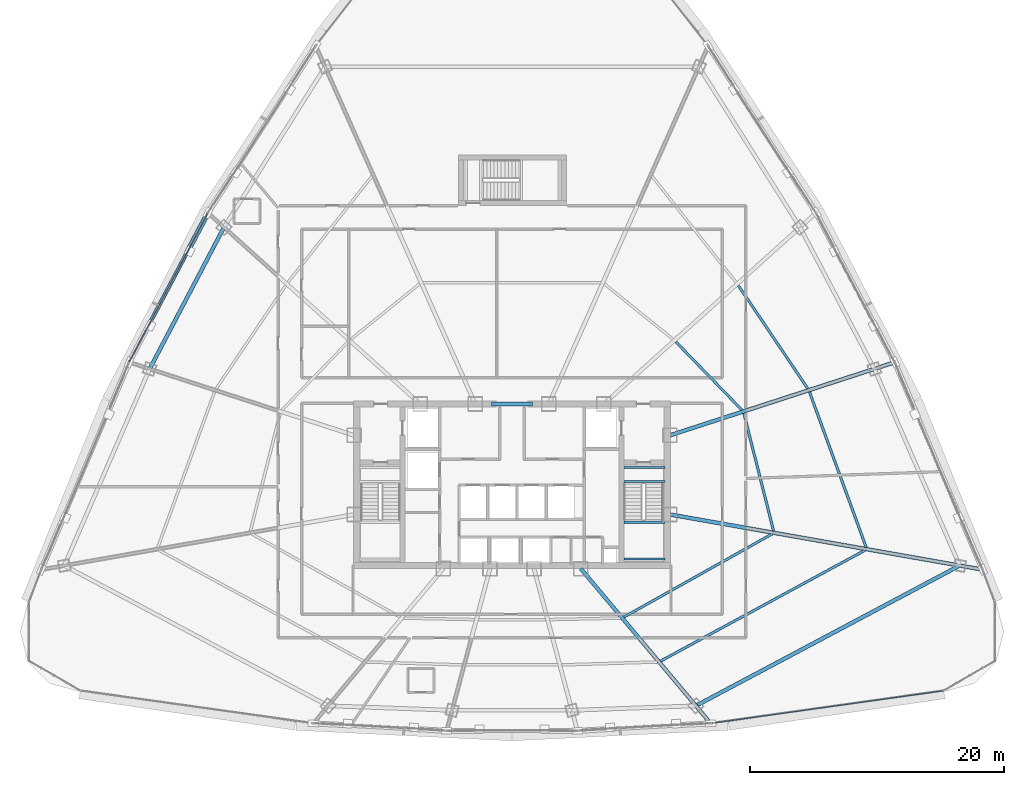
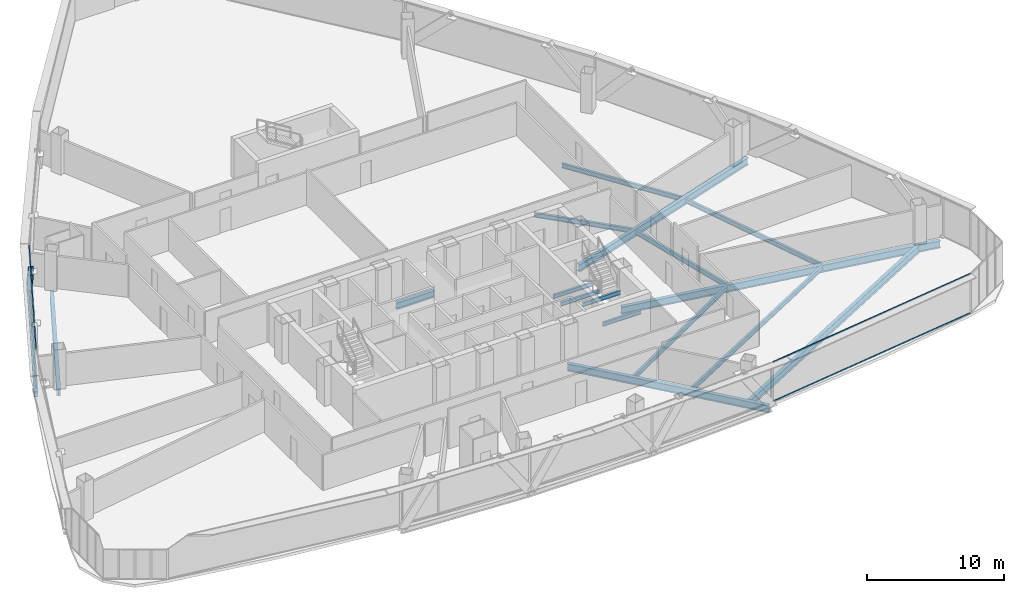
# One storey, part 15 of 37: 17 beams, 5 members, 2 elements without a shape of their own.
"""IFC4 building model written with IfcOpenShell, lengths in metres."""

from ifc_helpers import new_model, si_unit, direction, frame, origin, origin_2d, place, context, subcontext, project, spatial, hollow_rectangle, i_section, extrude, source, transform, mapped, material, layer, layer_set, material_profile, profile_set, type_object, element, aggregate, save


model = new_model("IFC4")

# Units and contexts
model_context = context("Model", 3, precision=1e-05, world=origin(), true_north=direction((0.0, 1.0)))
body_context = subcontext(model_context, "Body", "Model", "MODEL_VIEW")
ifc_project = project(units=[si_unit("LENGTHUNIT", "METRE"), si_unit("AREAUNIT", "SQUARE_METRE"), si_unit("VOLUMEUNIT", "CUBIC_METRE"), si_unit("PLANEANGLEUNIT", "RADIAN"), si_unit("MASSUNIT", "GRAM", prefix="KILO"), si_unit("THERMODYNAMICTEMPERATUREUNIT", "KELVIN"), si_unit("POWERUNIT", "WATT")], contexts=[model_context])

# Site, building, storey
site_placement = place(None, origin())
site = spatial("IfcSite", under=ifc_project, at=site_placement, CompositionType="ELEMENT")
building_placement = place(site_placement, origin())
building = spatial("IfcBuilding", under=site, at=building_placement, Name="Yunzhuo Pagoda Commons", CompositionType="ELEMENT")
storey_placement = place(building_placement, frame((0.0, 0.0, 207.56005859375)))
storey = spatial("IfcBuildingStorey", under=building, at=storey_placement, Name="L52", CompositionType="ELEMENT", Elevation=207.56005859375)

# Beams
ifc_material_1 = material(Name="Structural steel Q355B", Category="steel")
ifc_material_profile_1 = material_profile(ifc_material_1, i_section(OverallWidth=0.175048828125, OverallDepth=0.35009765625, WebThickness=0.007080078125, FlangeThickness=0.010986328125, at=origin_2d()), Name="Structural steel Q355B")
ifc_profile_set_1 = profile_set([ifc_material_profile_1], Name="Structural steel Q355B")
beam_type_1 = type_object("IfcBeamType", Name="B-JS2 Joist HN 350x175x7x11", PredefinedType="JOIST", material=ifc_profile_set_1)
shared_shape_1 = source(origin(), body_context, "Body", "SweptSolid", [
    extrude(i_section(OverallWidth=0.175048828125, OverallDepth=0.35009765625, WebThickness=0.007080078125, FlangeThickness=0.010986328125, at=origin_2d()), origin(), (0.0, 0.0, 1.0), 3.25),
])
for number, where, z_axis, x_axis, name in (
    (1, (56.800048828125, 28.0, 1.52490234375), (1.0, 0.0, 0.0), (0.0, 1.0, 0.0), "L52 ST2 landing support beam 58A"),
    (2, (56.800048828125, 30.89990234375, 1.52490234375), (1.0, 0.0, 0.0), (0.0, 1.0, 0.0), "L52 ST2 landing support beam 58B"),
    (3, (56.800048828125, 34.10009765625, -0.375), (1.0, 0.0, 0.0), (0.0, 1.0, 0.0), "L52 ST2 landing support beam 156A"),
    (4, (56.800048828125, 35.199951171875, -0.375), (1.0, 0.0, 0.0), (0.0, 1.0, 0.0), "L52 ST2 landing support beam 156B"),
):
    element("IfcBeam", number, at=place(storey_placement, frame(where, z_axis=z_axis, x_axis=x_axis)), inside=storey, type_object=beam_type_1, Name=name, PredefinedType="JOIST", context=body_context, shape_type="MappedRepresentation", body=[
        mapped(shared_shape_1, transform((0.0, 0.0, 0.0), scale=1.0)),
    ])
ifc_material_2 = material(Name="Structural steel Q420B", Category="steel")
ifc_material_profile_2 = material_profile(ifc_material_2, i_section(OverallWidth=0.300048828125, OverallDepth=0.587890625, WebThickness=0.011962890625, FlangeThickness=0.02001953125, at=origin_2d()), Name="Structural steel Q420B")
ifc_profile_set_2 = profile_set([ifc_material_profile_2], Name="Structural steel Q420B")
beam_type_2 = type_object("IfcBeamType", Name="B-CPL Beam HM 588x300x12x20", PredefinedType="BEAM", material=ifc_profile_set_2)
shared_shape_2 = source(origin(), body_context, "Body", "SweptSolid", [
    extrude(i_section(OverallWidth=0.300048828125, OverallDepth=0.587890625, WebThickness=0.011962890625, FlangeThickness=0.02001953125, at=origin_2d()), origin(), (0.0, 0.0, 1.0), 3.2001953125),
])
beam_1_placement = place(storey_placement, frame((46.39990234375, 40.199951171875, -0.5537109375), z_axis=(1.0, 0.0, 0.0), x_axis=(0.0, 1.0, 0.0)))
element("IfcBeam", 5, at=beam_1_placement, inside=storey, type_object=beam_type_2, Name="L52 core coupling girder", PredefinedType="BEAM", context=body_context, shape_type="MappedRepresentation", body=[
    mapped(shared_shape_2, transform((0.0, 0.0, 0.0), scale=1.0)),
])
ifc_material_profile_3 = material_profile(ifc_material_1, i_section(OverallWidth=0.300048828125, OverallDepth=0.64990234375, WebThickness=0.012939453125, FlangeThickness=0.02197265625, at=origin_2d()), Name="Structural steel Q355B")
ifc_profile_set_3 = profile_set([ifc_material_profile_3], Name="Structural steel Q355B")
beam_type_3 = type_object("IfcBeamType", Name="B-RG2 Beam HN 650x300x13x22", PredefinedType="BEAM", material=ifc_profile_set_3)
shared_shape_3 = source(origin(), body_context, "Body", "SweptSolid", [
    extrude(i_section(OverallWidth=0.300048828125, OverallDepth=0.64990234375, WebThickness=0.012939453125, FlangeThickness=0.02197265625, at=origin_2d()), origin(), (0.0, 0.0, 1.0), 23.49365234375),
])
beam_2_placement = place(storey_placement, frame((62.461181640625, 16.4658203125, -0.5849609375), z_axis=(0.883016269865, 0.469342377325, 0.0), x_axis=(-0.469342377325, 0.883016269865, 0.0)))
element("IfcBeam", 6, at=beam_2_placement, inside=storey, type_object=beam_type_3, Name="L52 column-ring beam 4", PredefinedType="BEAM", context=body_context, shape_type="MappedRepresentation", body=[
    mapped(shared_shape_3, transform((0.0, 0.0, 0.0), scale=1.0)),
])
shared_shape_4 = source(origin(), body_context, "Body", "SweptSolid", [
    extrude(i_section(OverallWidth=0.300048828125, OverallDepth=0.64990234375, WebThickness=0.012939453125, FlangeThickness=0.02197265625, at=origin_2d()), origin(), (0.0, 0.0, 1.0), 12.576416015625),
])
beam_3_placement = place(storey_placement, frame((25.349365234375, 54.0947265625, -0.5849609375), z_axis=(-0.464676385233, -0.885480579689, 0.0), x_axis=(0.885480579689, -0.464676385233, 0.0)))
element("IfcBeam", 7, at=beam_3_placement, inside=storey, type_object=beam_type_3, Name="L52 column-ring beam 10", PredefinedType="BEAM", context=body_context, shape_type="MappedRepresentation", body=[
    mapped(shared_shape_4, transform((0.0, 0.0, 0.0), scale=1.0)),
])
ifc_material_profile_4 = material_profile(ifc_material_1, i_section(OverallWidth=0.199951171875, OverallDepth=0.39990234375, WebThickness=0.008056640625, FlangeThickness=0.012939453125, at=origin_2d()), Name="Structural steel Q355B")
ifc_profile_set_4 = profile_set([ifc_material_profile_4], Name="Structural steel Q355B")
beam_type_4 = type_object("IfcBeamType", Name="B-JS1 Joist HN 400x200x8x13", PredefinedType="JOIST", material=ifc_profile_set_4)
shared_shape_5 = source(origin(), body_context, "Body", "SweptSolid", [
    extrude(i_section(OverallWidth=0.199951171875, OverallDepth=0.39990234375, WebThickness=0.008056640625, FlangeThickness=0.012939453125, at=origin_2d()), origin(), (0.0, 0.0, 1.0), 13.372802734375),
])
beam_4_placement = place(storey_placement, frame((56.80859375, 23.445556640625, -0.4599609375), z_axis=(0.872150261016, 0.4892381038, 0.0), x_axis=(-0.4892381038, 0.872150261016, 0.0)))
element("IfcBeam", 8, at=beam_4_placement, inside=storey, type_object=beam_type_4, Name="L52 composite ring joist 1.4", PredefinedType="JOIST", context=body_context, shape_type="MappedRepresentation", body=[
    mapped(shared_shape_5, transform((0.0, 0.0, 0.0), scale=1.0)),
])
shared_shape_6 = source(origin(), body_context, "Body", "SweptSolid", [
    extrude(i_section(OverallWidth=0.199951171875, OverallDepth=0.39990234375, WebThickness=0.008056640625, FlangeThickness=0.012939453125, at=origin_2d()), origin(), (0.0, 0.0, 1.0), 18.27294921875),
])
beam_5_placement = place(storey_placement, frame((59.705322265625, 19.992431640625, -0.4599609375), z_axis=(0.879067821824, 0.476696721861, 0.0), x_axis=(-0.476696721861, 0.879067821824, 0.0)))
element("IfcBeam", 9, at=beam_5_placement, inside=storey, type_object=beam_type_4, Name="L52 composite ring joist 2.4", PredefinedType="JOIST", context=body_context, shape_type="MappedRepresentation", body=[
    mapped(shared_shape_6, transform((0.0, 0.0, 0.0), scale=1.0)),
])
shared_shape_7 = source(origin(), body_context, "Body", "SweptSolid", [
    extrude(i_section(OverallWidth=0.199951171875, OverallDepth=0.39990234375, WebThickness=0.008056640625, FlangeThickness=0.012939453125, at=origin_2d()), origin(), (0.0, 0.0, 1.0), 9.529052734375),
])
beam_6_placement = place(storey_placement, frame((68.5712890625, 30.219970703125, -0.4599609375), z_axis=(-0.245367921097, 0.969430030119, 0.0), x_axis=(-0.969430030119, -0.245367921097, 0.0)))
element("IfcBeam", 10, at=beam_6_placement, inside=storey, type_object=beam_type_4, Name="L52 composite ring joist 1.5", PredefinedType="JOIST", context=body_context, shape_type="MappedRepresentation", body=[
    mapped(shared_shape_7, transform((0.0, 0.0, 0.0), scale=1.0)),
])
shared_shape_8 = source(origin(), body_context, "Body", "SweptSolid", [
    extrude(i_section(OverallWidth=0.199951171875, OverallDepth=0.39990234375, WebThickness=0.008056640625, FlangeThickness=0.012939453125, at=origin_2d()), origin(), (0.0, 0.0, 1.0), 12.994873046875),
])
beam_7_placement = place(storey_placement, frame((75.85400390625, 28.928466796875, -0.4599609375), z_axis=(-0.342834977914, 0.939395645039, 0.0), x_axis=(-0.939395645039, -0.342834977914, 0.0)))
element("IfcBeam", 11, at=beam_7_placement, inside=storey, type_object=beam_type_4, Name="L52 composite ring joist 2.5", PredefinedType="JOIST", context=body_context, shape_type="MappedRepresentation", body=[
    mapped(shared_shape_8, transform((0.0, 0.0, 0.0), scale=1.0)),
])
shared_shape_9 = source(origin(), body_context, "Body", "SweptSolid", [
    extrude(i_section(OverallWidth=0.199951171875, OverallDepth=0.39990234375, WebThickness=0.008056640625, FlangeThickness=0.012939453125, at=origin_2d()), origin(), (0.0, 0.0, 1.0), 7.46826171875),
])
beam_8_placement = place(storey_placement, frame((66.08349609375, 39.725830078125, -0.4599609375), z_axis=(-0.696070782679, 0.717973164889, 0.0), x_axis=(-0.717973164889, -0.696070782679, 0.0)))
element("IfcBeam", 12, at=beam_8_placement, inside=storey, type_object=beam_type_4, Name="L52 composite ring joist 1.6", PredefinedType="JOIST", context=body_context, shape_type="MappedRepresentation", body=[
    mapped(shared_shape_9, transform((0.0, 0.0, 0.0), scale=1.0)),
])
shared_shape_10 = source(origin(), body_context, "Body", "SweptSolid", [
    extrude(i_section(OverallWidth=0.199951171875, OverallDepth=0.39990234375, WebThickness=0.008056640625, FlangeThickness=0.012939453125, at=origin_2d()), origin(), (0.0, 0.0, 1.0), 9.764892578125),
])
beam_9_placement = place(storey_placement, frame((71.255615234375, 41.4169921875, -0.4599609375), z_axis=(-0.558548425455, 0.829471914185, 0.0), x_axis=(-0.829471914185, -0.558548425455, 0.0)))
element("IfcBeam", 13, at=beam_9_placement, inside=storey, type_object=beam_type_4, Name="L52 composite ring joist 2.6", PredefinedType="JOIST", context=body_context, shape_type="MappedRepresentation", body=[
    mapped(shared_shape_10, transform((0.0, 0.0, 0.0), scale=1.0)),
])
shared_shape_11 = source(origin(), body_context, "Body", "SweptSolid", [
    extrude(i_section(OverallWidth=0.300048828125, OverallDepth=0.64990234375, WebThickness=0.012939453125, FlangeThickness=0.02197265625, at=origin_2d()), origin(), (0.0, 0.0, 1.0), 15.728515625),
])
beam_10_placement = place(storey_placement, frame((63.522216796875, 15.201416015625, -0.5849609375), z_axis=(-0.642793021252, 0.766039902244, 0.0), x_axis=(-0.766039902244, -0.642793021252, 0.0)))
element("IfcBeam", 14, at=beam_10_placement, inside=storey, type_object=beam_type_3, Name="L52 radial floor girder F1C4", PredefinedType="BEAM", context=body_context, shape_type="MappedRepresentation", body=[
    mapped(shared_shape_11, transform((0.0, 0.0, 0.0), scale=1.0)),
])
shared_shape_12 = source(origin(), body_context, "Body", "SweptSolid", [
    extrude(i_section(OverallWidth=0.300048828125, OverallDepth=0.64990234375, WebThickness=0.012939453125, FlangeThickness=0.02197265625, at=origin_2d()), origin(), (0.0, 0.0, 1.0), 24.83935546875),
])
beam_11_placement = place(storey_placement, frame((84.86181640625, 27.2001953125, -0.5849609375), z_axis=(-0.98480818693, 0.17364571678, 0.0), x_axis=(-0.17364571678, -0.98480818693, 0.0)))
element("IfcBeam", 15, at=beam_11_placement, inside=storey, type_object=beam_type_3, Name="L52 radial floor girder F2C1", PredefinedType="BEAM", context=body_context, shape_type="MappedRepresentation", body=[
    mapped(shared_shape_12, transform((0.0, 0.0, 0.0), scale=1.0)),
])
shared_shape_13 = source(origin(), body_context, "Body", "SweptSolid", [
    extrude(i_section(OverallWidth=0.300048828125, OverallDepth=0.64990234375, WebThickness=0.012939453125, FlangeThickness=0.02197265625, at=origin_2d()), origin(), (0.0, 0.0, 1.0), 18.463623046875),
])
beam_12_placement = place(storey_placement, frame((77.9599609375, 43.4345703125, -0.5849609375), z_axis=(-0.951057192744, -0.309014912472, 0.0), x_axis=(0.309014912472, -0.951057192744, 0.0)))
element("IfcBeam", 16, at=beam_12_placement, inside=storey, type_object=beam_type_3, Name="L52 radial floor girder F2C2", PredefinedType="BEAM", context=body_context, shape_type="MappedRepresentation", body=[
    mapped(shared_shape_13, transform((0.0, 0.0, 0.0), scale=1.0)),
])
ifc_material_profile_5 = material_profile(ifc_material_1, i_section(OverallWidth=0.300048828125, OverallDepth=0.488037109375, WebThickness=0.010986328125, FlangeThickness=0.01806640625, at=origin_2d()), Name="Structural steel Q355B")
ifc_profile_set_5 = profile_set([ifc_material_profile_5], Name="Structural steel Q355B")
beam_type_5 = type_object("IfcBeamType", Name="B-SP1 Beam HM 488x300x11x18", PredefinedType="BEAM", material=ifc_profile_set_5)
shared_shape_14 = source(origin(), body_context, "Body", "SweptSolid", [
    extrude(i_section(OverallWidth=0.300048828125, OverallDepth=0.488037109375, WebThickness=0.010986328125, FlangeThickness=0.01806640625, at=origin_2d()), origin(), (0.0, 0.0, 1.0), 13.281982421875),
])
beam_13_placement = place(storey_placement, frame((24.0869140625, 55.2314453125, -0.504150390625), z_axis=(-0.466373597009, -0.88458785206, 0.0), x_axis=(0.88458785206, -0.466373597009, 0.0)))
element("IfcBeam", 17, at=beam_13_placement, inside=storey, type_object=beam_type_5, Name="L52 facade edge spandrel beam F3.2", PredefinedType="BEAM", context=body_context, shape_type="MappedRepresentation", body=[
    mapped(shared_shape_14, transform((0.0, 0.0, 0.0), scale=1.0)),
])

# Member
ifc_material_profile_6 = material_profile(ifc_material_1, hollow_rectangle(XDim=0.39990234375, YDim=0.719970703125, WallThickness=0.02392578125, at=origin_2d()), Name="Structural steel Q355B")
ifc_profile_set_6 = profile_set([ifc_material_profile_6], Name="Structural steel Q355B")
member_type_1 = type_object("IfcMemberType", Name="M-DL2 Brace BOX 720x400x24", PredefinedType="BRACE", material=ifc_profile_set_6)
shared_shape_15 = source(origin(), body_context, "Body", "SweptSolid", [
    extrude(hollow_rectangle(XDim=0.39990234375, YDim=0.719970703125, WallThickness=0.02392578125, at=origin_2d()), origin(), (0.0, 0.0, 1.0), 5.046142578125),
])
member_1_placement = place(storey_placement, frame((24.0869140625, 55.2314453125, -0.260009765625), z_axis=(-0.306878883424, -0.582020016962, 0.753045849045), x_axis=(0.884571858339, -0.466403931625, 0.0)))
element("IfcMember", 18, at=member_1_placement, inside=storey, type_object=member_type_1, Name="L52 facade diamond brace F3.2L", PredefinedType="BRACE", context=body_context, shape_type="MappedRepresentation", body=[
    mapped(shared_shape_15, transform((0.0, 0.0, 0.0), scale=1.0)),
])

# Curtain wall, members
ifc_material_3 = material(Name="Anodized aluminium 6063-T6", Category="aluminium")
ifc_layer = layer(ifc_material_3, 0.14990234375)
ifc_layer_set = layer_set([ifc_layer], Name="Anodized aluminium 6063-T6")
curtain_wall_type = type_object("IfcCurtainWallType", Name="CW-MID Mid-Zone Ribbon Curtain Wall", PredefinedType="NOTDEFINED", material=ifc_layer_set)
curtain_wall_1_placement = place(storey_placement, origin())
curtain_wall_1 = element("IfcCurtainWall", 19, at=curtain_wall_1_placement, inside=storey, type_object=curtain_wall_type, Name="L52 curtain wall CW-L52-F1B5", PredefinedType="NOTDEFINED")
ifc_material_profile_7 = material_profile(ifc_material_3, hollow_rectangle(XDim=0.054931640625, YDim=0.1298828125, WallThickness=0.00341796875, at=origin_2d()), Name="Anodized aluminium 6063-T6")
ifc_profile_set_7 = profile_set([ifc_material_profile_7], Name="Anodized aluminium 6063-T6")
member_type_2 = type_object("IfcMemberType", Name="CW-MID-T Transom RHS 130x55x3.5", PredefinedType="USERDEFINED", material=ifc_profile_set_7)
shared_shape_16 = source(origin(), body_context, "Body", "SweptSolid", [
    extrude(hollow_rectangle(XDim=0.054931640625, YDim=0.1298828125, WallThickness=0.00341796875, at=origin_2d()), origin(), (0.0, 0.0, 1.0), 18.3125),
])
member_2_placement = place(storey_placement, frame((63.755615234375, 15.101318359375, 0.02734375), z_axis=(0.990316981447, 0.138824624106, 0.0), x_axis=(-0.138824624106, 0.990316981447, 0.0)))
member_2 = element("IfcMember", 20, at=member_2_placement, type_object=member_type_2, Name="CW transom 1.1", ObjectType="TRANSOM", PredefinedType="USERDEFINED", context=body_context, shape_type="MappedRepresentation", body=[
    mapped(shared_shape_16, transform((0.0, 0.0, 0.0), scale=1.0)),
])
member_3_placement = place(storey_placement, frame((63.755615234375, 15.101318359375, 3.512451171875), z_axis=(0.990316981447, 0.138824624106, 0.0), x_axis=(-0.138824624106, 0.990316981447, 0.0)))
member_3 = element("IfcMember", 21, at=member_3_placement, type_object=member_type_2, Name="CW transom 1.2", ObjectType="TRANSOM", PredefinedType="USERDEFINED", context=body_context, shape_type="MappedRepresentation", body=[
    mapped(shared_shape_16, transform((0.0, 0.0, 0.0), scale=1.0)),
])
aggregate(curtain_wall_1, [member_2, member_3])

curtain_wall_2_placement = place(storey_placement, origin())
curtain_wall_2 = element("IfcCurtainWall", 22, at=curtain_wall_2_placement, inside=storey, type_object=curtain_wall_type, Name="L52 curtain wall CW-L52-F3B3", PredefinedType="NOTDEFINED")
shared_shape_17 = source(origin(), body_context, "Body", "SweptSolid", [
    extrude(hollow_rectangle(XDim=0.054931640625, YDim=0.1298828125, WallThickness=0.00341796875, at=origin_2d()), origin(), (0.0, 0.0, 1.0), 13.16162109375),
])
member_4_placement = place(storey_placement, frame((24.058837890625, 55.178466796875, 0.02734375), z_axis=(-0.46637168839, -0.884588858322, 0.0), x_axis=(0.884588858322, -0.46637168839, 0.0)))
member_4 = element("IfcMember", 23, at=member_4_placement, type_object=member_type_2, Name="CW transom 1.1", ObjectType="TRANSOM", PredefinedType="USERDEFINED", context=body_context, shape_type="MappedRepresentation", body=[
    mapped(shared_shape_17, transform((0.0, 0.0, 0.0), scale=1.0)),
])
member_5_placement = place(storey_placement, frame((24.058837890625, 55.178466796875, 3.512451171875), z_axis=(-0.46637168839, -0.884588858322, 0.0), x_axis=(0.884588858322, -0.46637168839, 0.0)))
member_5 = element("IfcMember", 24, at=member_5_placement, type_object=member_type_2, Name="CW transom 1.2", ObjectType="TRANSOM", PredefinedType="USERDEFINED", context=body_context, shape_type="MappedRepresentation", body=[
    mapped(shared_shape_17, transform((0.0, 0.0, 0.0), scale=1.0)),
])
aggregate(curtain_wall_2, [member_4, member_5])

save(model, "model.ifc")
